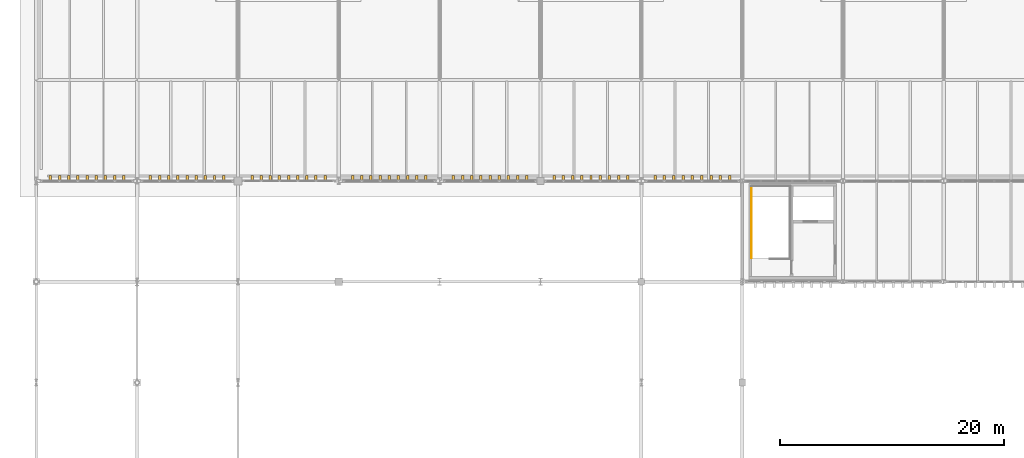
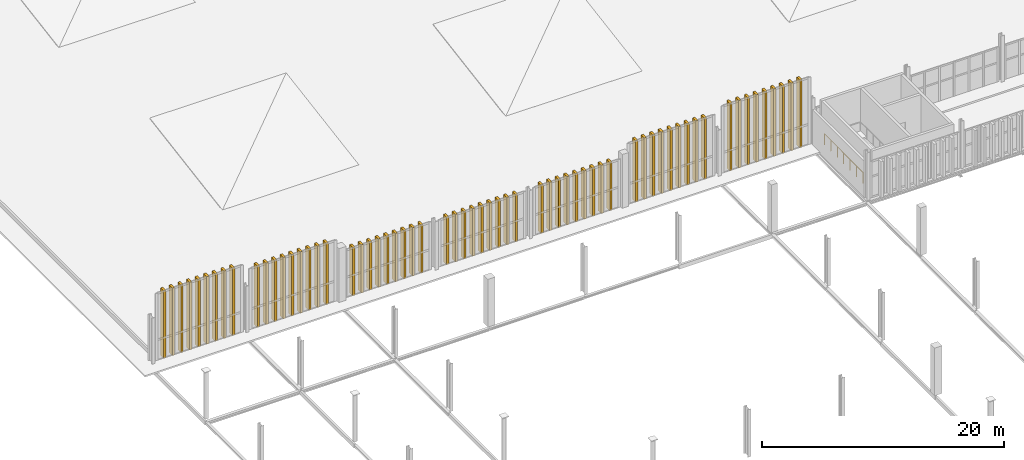
# One storey, part 185 of 196: 63 shading devices, 1 railing.
"""IFC4 building model written with IfcOpenShell, lengths in metres."""

from ifc_helpers import new_model, si_unit, direction, frame, origin, origin_2d, place, context, subcontext, project, spatial, rectangle, circle, extrude, material, type_object, element, save


model = new_model("IFC4")

# Units and contexts
model_context = context("Model", 3, precision=1e-05, world=origin(), true_north=direction((0.0, 1.0)))
body_context = subcontext(model_context, "Body", "Model", "MODEL_VIEW")
ifc_project = project(units=[si_unit("LENGTHUNIT", "METRE"), si_unit("AREAUNIT", "SQUARE_METRE"), si_unit("VOLUMEUNIT", "CUBIC_METRE"), si_unit("PLANEANGLEUNIT", "RADIAN"), si_unit("MASSUNIT", "GRAM", prefix="KILO")], contexts=[model_context])

# Site, building, storey
site_placement = place(None, origin())
site = spatial("IfcSite", under=ifc_project, at=site_placement, CompositionType="ELEMENT")
building_placement = place(site_placement, origin())
building = spatial("IfcBuilding", under=site, at=building_placement, Name="Barlavento Convention Centre", CompositionType="ELEMENT")
storey_placement = place(building_placement, frame((0.0, 0.0, 18.0)))
storey = spatial("IfcBuildingStorey", under=building, at=storey_placement, Name="L03", CompositionType="ELEMENT", Elevation=18.0)

# Railing
ifc_material_1 = material(Name="Stainless steel and laminated glass balustrade", Category="steel")
railing_type = type_object("IfcRailingType", Name="ARC-RAL-BAL-1100", PredefinedType="BALUSTRADE", material=ifc_material_1)
railing_placement = place(storey_placement, frame((63.85009765625, 53.530029296875, 0.0)))
element("IfcRailing", 1, at=railing_placement, inside=storey, type_object=railing_type, Name="L03 stairwell perimeter guard GR01", PredefinedType="BALUSTRADE", context=body_context, shape_type="SweptSolid", body=[
    extrude(circle(Radius=0.02392578125, at=origin_2d()), frame((0.0, 0.0, 1.076171875), z_axis=(0.0, -1.0, 0.0), x_axis=(1.0, 0.0, 0.0)), (0.0, 0.0, 1.0), 6.4150390625),
    extrude(circle(Radius=0.02099609375, at=origin_2d()), origin(), (0.0, 0.0, 1.0), 1.052001953125),
    extrude(circle(Radius=0.02099609375, at=origin_2d()), frame((0.0, -1.069091796875, 0.0)), (0.0, 0.0, 1.0), 1.052001953125),
    extrude(circle(Radius=0.02099609375, at=origin_2d()), frame((0.0, -2.138427734375, 0.0)), (0.0, 0.0, 1.0), 1.052001953125),
    extrude(circle(Radius=0.02099609375, at=origin_2d()), frame((0.0, -3.20751953125, 0.0)), (0.0, 0.0, 1.0), 1.052001953125),
    extrude(circle(Radius=0.02099609375, at=origin_2d()), frame((0.0, -4.276611328125, 0.0)), (0.0, 0.0, 1.0), 1.052001953125),
    extrude(circle(Radius=0.02099609375, at=origin_2d()), frame((0.0, -5.345947265625, 0.0)), (0.0, 0.0, 1.0), 1.052001953125),
    extrude(circle(Radius=0.02099609375, at=origin_2d()), frame((0.0, -6.4150390625, 0.0)), (0.0, 0.0, 1.0), 1.052001953125),
])

# Shading devices
ifc_material_2 = material(Name="PVDF white extruded aluminium", Category="aluminium")
shading_device_type = type_object("IfcShadingDeviceType", Name="ARC-SHD-FIN-480", PredefinedType="USERDEFINED", material=ifc_material_2)
for number, where, z_axis, x_axis, name in (
    (2, (1.25830078125, 54.239990234375, 0.10009765625), (0.0, 0.0, 1.0), (1.0, 0.0, 0.0), "White vertical solar shading fin VF01"),
    (3, (2.077880859375, 54.239990234375, 0.10009765625), (0.0, 0.0, 1.0), (1.0, 0.0, 0.0), "White vertical solar shading fin VF01"),
    (4, (2.897216796875, 54.239990234375, 0.10009765625), (0.0, 0.0, 1.0), (1.0, 0.0, 0.0), "White vertical solar shading fin VF01"),
    (5, (3.716552734375, 54.239990234375, 0.10009765625), (0.0, 0.0, 1.0), (1.0, 0.0, 0.0), "White vertical solar shading fin VF01"),
    (6, (4.535888671875, 54.239990234375, 0.10009765625), (0.0, 0.0, 1.0), (1.0, 0.0, 0.0), "White vertical solar shading fin VF01"),
    (7, (5.35546875, 54.239990234375, 0.10009765625), (0.0, 0.0, 1.0), (1.0, 0.0, 0.0), "White vertical solar shading fin VF01"),
    (8, (6.1748046875, 54.239990234375, 0.10009765625), (0.0, 0.0, 1.0), (1.0, 0.0, 0.0), "White vertical solar shading fin VF01"),
    (9, (6.994140625, 54.239990234375, 0.10009765625), (0.0, 0.0, 1.0), (1.0, 0.0, 0.0), "White vertical solar shading fin VF01"),
    (10, (7.813720703125, 54.239990234375, 0.10009765625), (0.0, 0.0, 1.0), (1.0, 0.0, 0.0), "White vertical solar shading fin VF01"),
):
    element("IfcShadingDevice", number, at=place(storey_placement, frame(where, z_axis=z_axis, x_axis=x_axis)), inside=storey, type_object=shading_device_type, Name=name, ObjectType="FIN", PredefinedType="USERDEFINED", context=body_context, shape_type="SweptSolid", body=[
        extrude(rectangle(XDim=0.219970703125, YDim=0.52001953125, at=origin_2d()), origin(), (0.0, 0.0, 1.0), 6.81103515625),
    ])
for number, where, z_axis, x_axis, name in (
    (11, (10.184814453125, 54.239990234375, 0.10009765625), (0.0, 0.0, 1.0), (1.0, 0.0, 0.0), "White vertical solar shading fin VF01"),
    (12, (11.002685546875, 54.239990234375, 0.10009765625), (0.0, 0.0, 1.0), (1.0, 0.0, 0.0), "White vertical solar shading fin VF01"),
    (13, (11.8203125, 54.239990234375, 0.10009765625), (0.0, 0.0, 1.0), (1.0, 0.0, 0.0), "White vertical solar shading fin VF01"),
    (14, (12.63818359375, 54.239990234375, 0.10009765625), (0.0, 0.0, 1.0), (1.0, 0.0, 0.0), "White vertical solar shading fin VF01"),
    (15, (13.4560546875, 54.239990234375, 0.10009765625), (0.0, 0.0, 1.0), (1.0, 0.0, 0.0), "White vertical solar shading fin VF01"),
    (16, (14.273681640625, 54.239990234375, 0.10009765625), (0.0, 0.0, 1.0), (1.0, 0.0, 0.0), "White vertical solar shading fin VF01"),
    (17, (15.091552734375, 54.239990234375, 0.10009765625), (0.0, 0.0, 1.0), (1.0, 0.0, 0.0), "White vertical solar shading fin VF01"),
    (18, (15.909423828125, 54.239990234375, 0.10009765625), (0.0, 0.0, 1.0), (1.0, 0.0, 0.0), "White vertical solar shading fin VF01"),
    (19, (16.727294921875, 54.239990234375, 0.10009765625), (0.0, 0.0, 1.0), (1.0, 0.0, 0.0), "White vertical solar shading fin VF01"),
):
    element("IfcShadingDevice", number, at=place(storey_placement, frame(where, z_axis=z_axis, x_axis=x_axis)), inside=storey, type_object=shading_device_type, Name=name, ObjectType="FIN", PredefinedType="USERDEFINED", context=body_context, shape_type="SweptSolid", body=[
        extrude(rectangle(XDim=0.219970703125, YDim=0.52001953125, at=origin_2d()), origin(), (0.0, 0.0, 1.0), 6.193115234375),
    ])
for number, where, z_axis, x_axis, name in (
    (20, (19.26806640625, 54.239990234375, 0.10009765625), (0.0, 0.0, 1.0), (1.0, 0.0, 0.0), "White vertical solar shading fin VF01"),
    (21, (20.0810546875, 54.239990234375, 0.10009765625), (0.0, 0.0, 1.0), (1.0, 0.0, 0.0), "White vertical solar shading fin VF01"),
    (22, (20.89404296875, 54.239990234375, 0.10009765625), (0.0, 0.0, 1.0), (1.0, 0.0, 0.0), "White vertical solar shading fin VF01"),
    (23, (21.70703125, 54.239990234375, 0.10009765625), (0.0, 0.0, 1.0), (1.0, 0.0, 0.0), "White vertical solar shading fin VF01"),
    (24, (22.52001953125, 54.239990234375, 0.10009765625), (0.0, 0.0, 1.0), (1.0, 0.0, 0.0), "White vertical solar shading fin VF01"),
    (25, (23.3330078125, 54.239990234375, 0.10009765625), (0.0, 0.0, 1.0), (1.0, 0.0, 0.0), "White vertical solar shading fin VF01"),
    (26, (24.14599609375, 54.239990234375, 0.10009765625), (0.0, 0.0, 1.0), (1.0, 0.0, 0.0), "White vertical solar shading fin VF01"),
    (27, (24.958984375, 54.239990234375, 0.10009765625), (0.0, 0.0, 1.0), (1.0, 0.0, 0.0), "White vertical solar shading fin VF01"),
    (28, (25.77197265625, 54.239990234375, 0.10009765625), (0.0, 0.0, 1.0), (1.0, 0.0, 0.0), "White vertical solar shading fin VF01"),
):
    element("IfcShadingDevice", number, at=place(storey_placement, frame(where, z_axis=z_axis, x_axis=x_axis)), inside=storey, type_object=shading_device_type, Name=name, ObjectType="FIN", PredefinedType="USERDEFINED", context=body_context, shape_type="SweptSolid", body=[
        extrude(rectangle(XDim=0.219970703125, YDim=0.52001953125, at=origin_2d()), origin(), (0.0, 0.0, 1.0), 4.8759765625),
    ])
for number, where, z_axis, x_axis, name in (
    (29, (28.23291015625, 54.239990234375, 0.099853515625), (0.0, 0.0, 1.0), (1.0, 0.0, 0.0), "White vertical solar shading fin VF01"),
    (30, (29.051025390625, 54.239990234375, 0.099853515625), (0.0, 0.0, 1.0), (1.0, 0.0, 0.0), "White vertical solar shading fin VF01"),
    (31, (29.868896484375, 54.239990234375, 0.099853515625), (0.0, 0.0, 1.0), (1.0, 0.0, 0.0), "White vertical solar shading fin VF01"),
    (32, (30.68701171875, 54.239990234375, 0.099853515625), (0.0, 0.0, 1.0), (1.0, 0.0, 0.0), "White vertical solar shading fin VF01"),
    (33, (31.5048828125, 54.239990234375, 0.099853515625), (0.0, 0.0, 1.0), (1.0, 0.0, 0.0), "White vertical solar shading fin VF01"),
    (34, (32.322998046875, 54.239990234375, 0.099853515625), (0.0, 0.0, 1.0), (1.0, 0.0, 0.0), "White vertical solar shading fin VF01"),
    (35, (33.14111328125, 54.239990234375, 0.099853515625), (0.0, 0.0, 1.0), (1.0, 0.0, 0.0), "White vertical solar shading fin VF01"),
    (36, (33.958984375, 54.239990234375, 0.099853515625), (0.0, 0.0, 1.0), (1.0, 0.0, 0.0), "White vertical solar shading fin VF01"),
    (37, (34.777099609375, 54.239990234375, 0.099853515625), (0.0, 0.0, 1.0), (1.0, 0.0, 0.0), "White vertical solar shading fin VF01"),
):
    element("IfcShadingDevice", number, at=place(storey_placement, frame(where, z_axis=z_axis, x_axis=x_axis)), inside=storey, type_object=shading_device_type, Name=name, ObjectType="FIN", PredefinedType="USERDEFINED", context=body_context, shape_type="SweptSolid", body=[
        extrude(rectangle(XDim=0.219970703125, YDim=0.52001953125, at=origin_2d()), origin(), (0.0, 0.0, 1.0), 4.7890625),
    ])
for number, where, z_axis, x_axis, name in (
    (38, (37.22412109375, 54.239990234375, 0.10009765625), (0.0, 0.0, 1.0), (1.0, 0.0, 0.0), "White vertical solar shading fin VF01"),
    (39, (38.04296875, 54.239990234375, 0.10009765625), (0.0, 0.0, 1.0), (1.0, 0.0, 0.0), "White vertical solar shading fin VF01"),
    (40, (38.862060546875, 54.239990234375, 0.10009765625), (0.0, 0.0, 1.0), (1.0, 0.0, 0.0), "White vertical solar shading fin VF01"),
    (41, (39.680908203125, 54.239990234375, 0.10009765625), (0.0, 0.0, 1.0), (1.0, 0.0, 0.0), "White vertical solar shading fin VF01"),
    (42, (40.5, 54.239990234375, 0.10009765625), (0.0, 0.0, 1.0), (1.0, 0.0, 0.0), "White vertical solar shading fin VF01"),
    (43, (41.319091796875, 54.239990234375, 0.10009765625), (0.0, 0.0, 1.0), (1.0, 0.0, 0.0), "White vertical solar shading fin VF01"),
    (44, (42.137939453125, 54.239990234375, 0.10009765625), (0.0, 0.0, 1.0), (1.0, 0.0, 0.0), "White vertical solar shading fin VF01"),
    (45, (42.95703125, 54.239990234375, 0.10009765625), (0.0, 0.0, 1.0), (1.0, 0.0, 0.0), "White vertical solar shading fin VF01"),
    (46, (43.77587890625, 54.239990234375, 0.10009765625), (0.0, 0.0, 1.0), (1.0, 0.0, 0.0), "White vertical solar shading fin VF01"),
):
    element("IfcShadingDevice", number, at=place(storey_placement, frame(where, z_axis=z_axis, x_axis=x_axis)), inside=storey, type_object=shading_device_type, Name=name, ObjectType="FIN", PredefinedType="USERDEFINED", context=body_context, shape_type="SweptSolid", body=[
        extrude(rectangle(XDim=0.219970703125, YDim=0.52001953125, at=origin_2d()), origin(), (0.0, 0.0, 1.0), 4.8759765625),
    ])
for number, where, z_axis, x_axis, name in (
    (47, (46.225341796875, 54.239990234375, 0.10009765625), (0.0, 0.0, 1.0), (1.0, 0.0, 0.0), "White vertical solar shading fin VF01"),
    (48, (47.0458984375, 54.239990234375, 0.10009765625), (0.0, 0.0, 1.0), (1.0, 0.0, 0.0), "White vertical solar shading fin VF01"),
    (49, (47.8662109375, 54.239990234375, 0.10009765625), (0.0, 0.0, 1.0), (1.0, 0.0, 0.0), "White vertical solar shading fin VF01"),
    (50, (48.6865234375, 54.239990234375, 0.10009765625), (0.0, 0.0, 1.0), (1.0, 0.0, 0.0), "White vertical solar shading fin VF01"),
    (51, (49.507080078125, 54.239990234375, 0.10009765625), (0.0, 0.0, 1.0), (1.0, 0.0, 0.0), "White vertical solar shading fin VF01"),
    (52, (50.327392578125, 54.239990234375, 0.10009765625), (0.0, 0.0, 1.0), (1.0, 0.0, 0.0), "White vertical solar shading fin VF01"),
    (53, (51.147705078125, 54.239990234375, 0.10009765625), (0.0, 0.0, 1.0), (1.0, 0.0, 0.0), "White vertical solar shading fin VF01"),
    (54, (51.96826171875, 54.239990234375, 0.10009765625), (0.0, 0.0, 1.0), (1.0, 0.0, 0.0), "White vertical solar shading fin VF01"),
    (55, (52.78857421875, 54.239990234375, 0.10009765625), (0.0, 0.0, 1.0), (1.0, 0.0, 0.0), "White vertical solar shading fin VF01"),
):
    element("IfcShadingDevice", number, at=place(storey_placement, frame(where, z_axis=z_axis, x_axis=x_axis)), inside=storey, type_object=shading_device_type, Name=name, ObjectType="FIN", PredefinedType="USERDEFINED", context=body_context, shape_type="SweptSolid", body=[
        extrude(rectangle(XDim=0.219970703125, YDim=0.52001953125, at=origin_2d()), origin(), (0.0, 0.0, 1.0), 6.193115234375),
    ])
for number, where, z_axis, x_axis, name in (
    (56, (55.224365234375, 54.239990234375, 0.10009765625), (0.0, 0.0, 1.0), (1.0, 0.0, 0.0), "White vertical solar shading fin VF01"),
    (57, (56.057861328125, 54.239990234375, 0.10009765625), (0.0, 0.0, 1.0), (1.0, 0.0, 0.0), "White vertical solar shading fin VF01"),
    (58, (56.89111328125, 54.239990234375, 0.10009765625), (0.0, 0.0, 1.0), (1.0, 0.0, 0.0), "White vertical solar shading fin VF01"),
    (59, (57.724609375, 54.239990234375, 0.10009765625), (0.0, 0.0, 1.0), (1.0, 0.0, 0.0), "White vertical solar shading fin VF01"),
    (60, (58.55810546875, 54.239990234375, 0.10009765625), (0.0, 0.0, 1.0), (1.0, 0.0, 0.0), "White vertical solar shading fin VF01"),
    (61, (59.391357421875, 54.239990234375, 0.10009765625), (0.0, 0.0, 1.0), (1.0, 0.0, 0.0), "White vertical solar shading fin VF01"),
    (62, (60.224853515625, 54.239990234375, 0.10009765625), (0.0, 0.0, 1.0), (1.0, 0.0, 0.0), "White vertical solar shading fin VF01"),
    (63, (61.05810546875, 54.239990234375, 0.10009765625), (0.0, 0.0, 1.0), (1.0, 0.0, 0.0), "White vertical solar shading fin VF01"),
    (64, (61.8916015625, 54.239990234375, 0.10009765625), (0.0, 0.0, 1.0), (1.0, 0.0, 0.0), "White vertical solar shading fin VF01"),
):
    element("IfcShadingDevice", number, at=place(storey_placement, frame(where, z_axis=z_axis, x_axis=x_axis)), inside=storey, type_object=shading_device_type, Name=name, ObjectType="FIN", PredefinedType="USERDEFINED", context=body_context, shape_type="SweptSolid", body=[
        extrude(rectangle(XDim=0.219970703125, YDim=0.52001953125, at=origin_2d()), origin(), (0.0, 0.0, 1.0), 6.81103515625),
    ])

save(model, "model.ifc")
